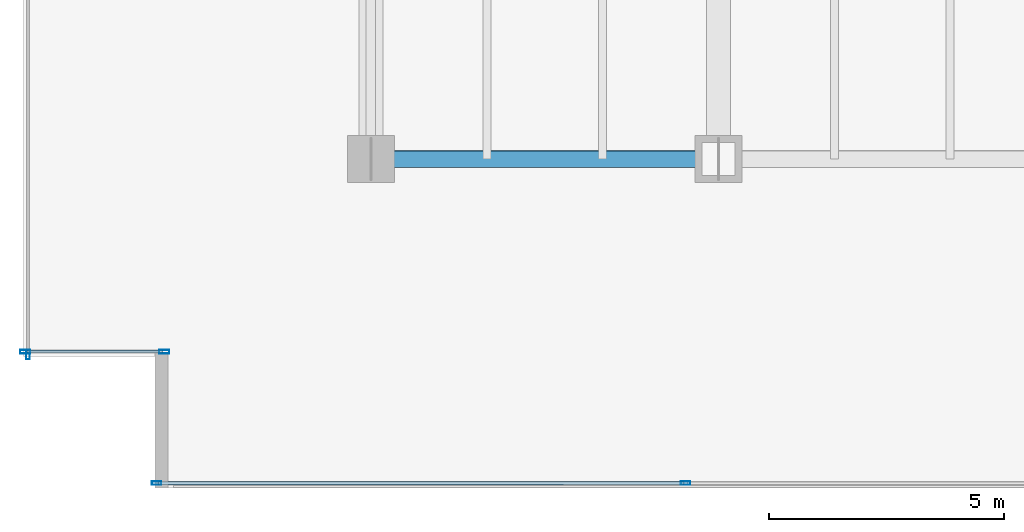
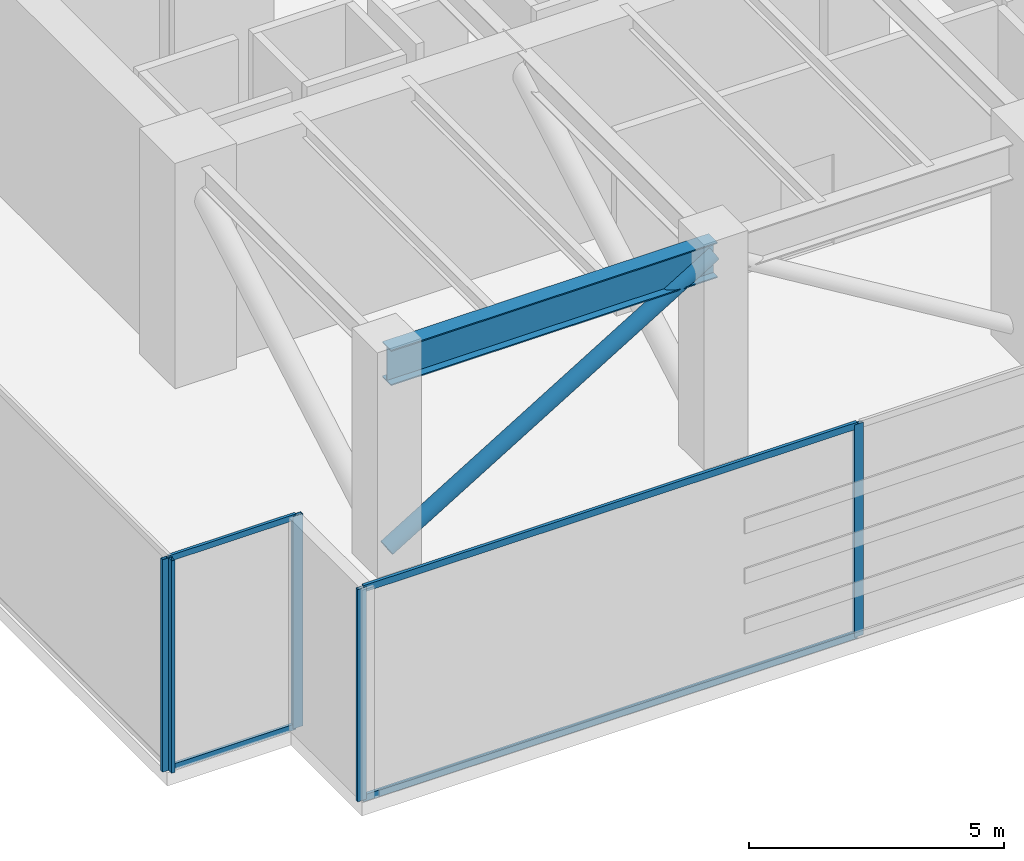
# One storey, part 2 of 38: 10 members, 1 beam, 3 elements without a shape of their own.
"""IFC4 building model written with IfcOpenShell, lengths in metres."""

from ifc_helpers import new_model, si_unit, direction, frame, origin, origin_2d, place, context, subcontext, project, spatial, hollow_rectangle, hollow_circle, i_section, extrude, source, transform, mapped, material, layer, layer_set, material_profile, profile_set, type_object, type_shapes, element, aggregate, save


model = new_model("IFC4")

# Units and contexts
model_context = context("Model", 3, precision=1e-05, world=origin(), true_north=direction((0.0, 1.0)))
body_context = subcontext(model_context, "Body", "Model", "MODEL_VIEW")
ifc_project = project(units=[si_unit("LENGTHUNIT", "METRE"), si_unit("AREAUNIT", "SQUARE_METRE"), si_unit("VOLUMEUNIT", "CUBIC_METRE"), si_unit("PLANEANGLEUNIT", "RADIAN"), si_unit("MASSUNIT", "GRAM", prefix="KILO")], contexts=[model_context])

# Site, building, storey
site_placement = place(None, origin())
site = spatial("IfcSite", under=ifc_project, at=site_placement, CompositionType="ELEMENT")
building_placement = place(site_placement, origin())
building = spatial("IfcBuilding", under=site, at=building_placement, Name="Haelvirn Gate Laboratories", CompositionType="ELEMENT")
storey_placement = place(building_placement, frame((0.0, 0.0, 94.89990234375)))
storey = spatial("IfcBuildingStorey", under=building, at=storey_placement, Name="L23", CompositionType="ELEMENT", Elevation=94.89990234375)

# Beam
ifc_material_1 = material(Name="Steel SM420", Category="steel")
ifc_material_profile_1 = material_profile(ifc_material_1, i_section(OverallWidth=0.35009765625, OverallDepth=0.85009765625, WebThickness=0.01611328125, FlangeThickness=0.028076171875, at=origin_2d()), Name="H-850x350x16x28")
ifc_profile_set_1 = profile_set([ifc_material_profile_1], Name="Steel SM420")
beam_type = type_object("IfcBeamType", Name="BM-AG-850", PredefinedType="BEAM", material=ifc_profile_set_1)
shared_shape_1 = source(origin(), body_context, "Body", "SweptSolid", [
    extrude(i_section(OverallWidth=0.35009765625, OverallDepth=0.85009765625, WebThickness=0.01611328125, FlangeThickness=0.028076171875, at=origin_2d()), origin(), (0.0, 0.0, 1.0), 7.400146484375),
])
type_shapes(beam_type, [shared_shape_1])
beam_placement = place(storey_placement, frame((7.39990234375, 7.0, 4.6650390625), z_axis=(1.0, 0.0, 0.0), x_axis=(0.0, 1.0, 0.0)))
element("IfcBeam", 1, at=beam_placement, inside=storey, type_object=beam_type, Name="L23 Primary Girder Y7.0 (7.4-14.8)", PredefinedType="BEAM", context=body_context, shape_type="MappedRepresentation", body=[
    mapped(shared_shape_1, transform((0.0, 0.0, 0.0), scale=1.0)),
])

# Member
ifc_material_2 = material(Name="Steel SM355", Category="steel")
ifc_material_profile_2 = material_profile(ifc_material_2, hollow_circle(Radius=0.177734375, WallThickness=0.013916015625, at=origin_2d()), Name="CHS-355x14")
ifc_profile_set_2 = profile_set([ifc_material_profile_2], Name="Steel SM355")
member_type_1 = type_object("IfcMemberType", Name="MEM-BELT-1", PredefinedType="STRUT", material=ifc_profile_set_2)
shared_shape_2 = source(origin(), body_context, "Body", "SweptSolid", [
    extrude(hollow_circle(Radius=0.177734375, WallThickness=0.013916015625, at=origin_2d()), origin(), (0.0, 0.0, 1.0), 8.65576171875),
])
type_shapes(member_type_1, [shared_shape_2])
member_1_placement = place(storey_placement, frame((7.39990234375, 7.0, 0.25), z_axis=(0.854938968729, 0.0, 0.518728599317), x_axis=(0.0, 1.0, 0.0)))
element("IfcMember", 2, at=member_1_placement, inside=storey, type_object=member_type_1, Name="L23 Perimeter Belt Truss S1", PredefinedType="STRUT", context=body_context, shape_type="MappedRepresentation", body=[
    mapped(shared_shape_2, transform((0.0, 0.0, 0.0), scale=1.0)),
])

# Curtain wall, members
ifc_material_3 = material(Name="Anodised bronze unitised aluminium & triple low-E glass", Category="aluminium")
ifc_layer_1 = layer(ifc_material_3, 0.18408203125, Name="CW-SYS-2")
ifc_layer_set_1 = layer_set([ifc_layer_1], Name="Anodised bronze unitised aluminium & triple low-E glass")
curtain_wall_type_1 = type_object("IfcCurtainWallType", Name="CW-SYS-2", PredefinedType="NOTDEFINED", material=ifc_layer_set_1)
curtain_wall_1_placement = place(storey_placement, origin())
curtain_wall_1 = element("IfcCurtainWall", 3, at=curtain_wall_1_placement, inside=storey, type_object=curtain_wall_type_1, Name="L23 Unitised Curtain Wall CW-L23-P0-E00-1", PredefinedType="NOTDEFINED")
ifc_material_4 = material(Name="Extruded aluminium 6063-T6 (anodised bronze)", Category="aluminium")
ifc_material_profile_3 = material_profile(ifc_material_4, hollow_rectangle(XDim=0.070068359375, YDim=0.159912109375, WallThickness=0.0048828125, at=origin_2d()), Name="CWT-160x70x5")
ifc_profile_set_3 = profile_set([ifc_material_profile_3], Name="Extruded aluminium 6063-T6 (anodised bronze)")
member_type_2 = type_object("IfcMemberType", Name="CWT-T160", PredefinedType="USERDEFINED", material=ifc_profile_set_3)
shared_shape_3 = source(origin(), body_context, "Body", "SweptSolid", [
    extrude(hollow_rectangle(XDim=0.070068359375, YDim=0.159912109375, WallThickness=0.0048828125, at=origin_2d()), origin(), (0.0, 0.0, 1.0), 11.1875),
])
type_shapes(member_type_2, [shared_shape_3])
member_2_placement = place(storey_placement, frame((2.875, 0.10009765625, 0.03515625), z_axis=(1.0, 0.0, 0.0), x_axis=(0.0, 1.0, 0.0)))
member_2 = element("IfcMember", 4, at=member_2_placement, type_object=member_type_2, Name="CW2 transom 1.1", ObjectType="TRANSOM", PredefinedType="USERDEFINED", context=body_context, shape_type="MappedRepresentation", body=[
    mapped(shared_shape_3, transform((0.0, 0.0, 0.0), scale=1.0)),
])
member_3_placement = place(storey_placement, frame((2.875, 0.10009765625, 5.05517578125), z_axis=(1.0, 0.0, 0.0), x_axis=(0.0, 1.0, 0.0)))
member_3 = element("IfcMember", 5, at=member_3_placement, type_object=member_type_2, Name="CW2 transom 1.2", ObjectType="TRANSOM", PredefinedType="USERDEFINED", context=body_context, shape_type="MappedRepresentation", body=[
    mapped(shared_shape_3, transform((0.0, 0.0, 0.0), scale=1.0)),
])

ifc_layer_2 = layer(ifc_material_3, 0.181884765625, Name="CW-SYS-5")
ifc_layer_set_2 = layer_set([ifc_layer_2], Name="Anodised bronze unitised aluminium & triple low-E glass")
curtain_wall_type_2 = type_object("IfcCurtainWallType", Name="CW-SYS-5", PredefinedType="NOTDEFINED", material=ifc_layer_set_2)
curtain_wall_2_placement = place(storey_placement, origin())
curtain_wall_2 = element("IfcCurtainWall", 6, at=curtain_wall_2_placement, inside=storey, type_object=curtain_wall_type_2, Name="L23 Unitised Curtain Wall CW-L23-P0-E18-1", PredefinedType="NOTDEFINED")
ifc_material_profile_4 = material_profile(ifc_material_4, hollow_rectangle(XDim=0.06494140625, YDim=0.139892578125, WallThickness=0.00390625, at=origin_2d()), Name="CWT-140x65x4")
ifc_profile_set_4 = profile_set([ifc_material_profile_4], Name="Extruded aluminium 6063-T6 (anodised bronze)")
member_type_3 = type_object("IfcMemberType", Name="CWT-T140", PredefinedType="USERDEFINED", material=ifc_profile_set_4)
shared_shape_4 = source(origin(), body_context, "Body", "SweptSolid", [
    extrude(hollow_rectangle(XDim=0.06494140625, YDim=0.139892578125, WallThickness=0.00390625, at=origin_2d()), origin(), (0.0, 0.0, 1.0), 2.8798828125),
])
type_shapes(member_type_3, [shared_shape_4])
member_4_placement = place(storey_placement, frame((0.080078125, 2.89990234375, 0.03271484375), z_axis=(1.0, 0.0, 0.0), x_axis=(0.0, 1.0, 0.0)))
member_4 = element("IfcMember", 7, at=member_4_placement, type_object=member_type_3, Name="CW5 transom 1.1", ObjectType="TRANSOM", PredefinedType="USERDEFINED", context=body_context, shape_type="MappedRepresentation", body=[
    mapped(shared_shape_4, transform((0.0, 0.0, 0.0), scale=1.0)),
])
member_5_placement = place(storey_placement, frame((0.080078125, 2.89990234375, 5.0576171875), z_axis=(1.0, 0.0, 0.0), x_axis=(0.0, 1.0, 0.0)))
member_5 = element("IfcMember", 8, at=member_5_placement, type_object=member_type_3, Name="CW5 transom 1.2", ObjectType="TRANSOM", PredefinedType="USERDEFINED", context=body_context, shape_type="MappedRepresentation", body=[
    mapped(shared_shape_4, transform((0.0, 0.0, 0.0), scale=1.0)),
])

# Member
ifc_material_profile_5 = material_profile(ifc_material_4, hollow_rectangle(XDim=0.074951171875, YDim=0.199951171875, WallThickness=0.0048828125, at=origin_2d()), Name="CWM-200x75x5")
ifc_profile_set_5 = profile_set([ifc_material_profile_5], Name="Extruded aluminium 6063-T6 (anodised bronze)")
member_type_4 = type_object("IfcMemberType", Name="CWM-T200", PredefinedType="MULLION", material=ifc_profile_set_5)
shared_shape_5 = source(origin(), body_context, "Body", "SweptSolid", [
    extrude(hollow_rectangle(XDim=0.074951171875, YDim=0.199951171875, WallThickness=0.0048828125, at=origin_2d()), origin(), (0.0, 0.0, 1.0), 5.090087890625),
])
type_shapes(member_type_4, [shared_shape_5])
member_6_placement = place(storey_placement, frame((2.83740234375, 0.10009765625, 0.0), z_axis=(0.0, 0.0, 1.0), x_axis=(0.0, 1.0, 0.0)))
member_6 = element("IfcMember", 9, at=member_6_placement, type_object=member_type_4, Name="CW2 mullion 1", PredefinedType="MULLION", context=body_context, shape_type="MappedRepresentation", body=[
    mapped(shared_shape_5, transform((0.0, 0.0, 0.0), scale=1.0)),
])

member_7_placement = place(storey_placement, frame((14.10009765625, 0.10009765625, 0.0), z_axis=(0.0, 0.0, 1.0), x_axis=(0.0, 1.0, 0.0)))
member_7 = element("IfcMember", 10, at=member_7_placement, type_object=member_type_4, Name="CW2 mullion 2", PredefinedType="MULLION", context=body_context, shape_type="MappedRepresentation", body=[
    mapped(shared_shape_5, transform((0.0, 0.0, 0.0), scale=1.0)),
])

aggregate(curtain_wall_1, [member_6, member_7, member_2, member_3])

# Curtain wall, member
curtain_wall_3_placement = place(storey_placement, origin())
curtain_wall_3 = element("IfcCurtainWall", 11, at=curtain_wall_3_placement, inside=storey, type_object=curtain_wall_type_1, Name="L23 Unitised Curtain Wall CW-L23-P0-E17", PredefinedType="NOTDEFINED")
member_8_placement = place(storey_placement, frame((0.10009765625, 2.83740234375, 0.0), z_axis=(0.0, 0.0, 1.0), x_axis=(1.0, 0.0, 0.0)))
member_8 = element("IfcMember", 12, at=member_8_placement, type_object=member_type_4, Name="CW2 mullion 4", PredefinedType="MULLION", context=body_context, shape_type="MappedRepresentation", body=[
    mapped(shared_shape_5, transform((0.0, 0.0, 0.0), scale=1.0)),
])
aggregate(curtain_wall_3, [member_8])

# Member
ifc_material_profile_6 = material_profile(ifc_material_4, hollow_rectangle(XDim=0.080078125, YDim=0.219970703125, WallThickness=0.006103515625, at=origin_2d()), Name="CWM-220x80x6")
ifc_profile_set_6 = profile_set([ifc_material_profile_6], Name="Extruded aluminium 6063-T6 (anodised bronze)")
member_type_5 = type_object("IfcMemberType", Name="CWM-T220", PredefinedType="MULLION", material=ifc_profile_set_6)
shared_shape_6 = source(origin(), body_context, "Body", "SweptSolid", [
    extrude(hollow_rectangle(XDim=0.080078125, YDim=0.219970703125, WallThickness=0.006103515625, at=origin_2d()), origin(), (0.0, 0.0, 1.0), 5.090087890625),
])
type_shapes(member_type_5, [shared_shape_6])
member_9_placement = place(storey_placement, frame((0.0400390625, 2.89990234375, 0.0), z_axis=(0.0, 0.0, 1.0), x_axis=(0.0, 1.0, 0.0)))
member_9 = element("IfcMember", 13, at=member_9_placement, type_object=member_type_5, Name="CW5 mullion 1", PredefinedType="MULLION", context=body_context, shape_type="MappedRepresentation", body=[
    mapped(shared_shape_6, transform((0.0, 0.0, 0.0), scale=1.0)),
])

member_10_placement = place(storey_placement, frame((3.0, 2.89990234375, 0.0), z_axis=(0.0, 0.0, 1.0), x_axis=(0.0, 1.0, 0.0)))
member_10 = element("IfcMember", 14, at=member_10_placement, type_object=member_type_5, Name="CW5 mullion 2", PredefinedType="MULLION", context=body_context, shape_type="MappedRepresentation", body=[
    mapped(shared_shape_6, transform((0.0, 0.0, 0.0), scale=1.0)),
])

aggregate(curtain_wall_2, [member_9, member_10, member_4, member_5])

save(model, "model.ifc")
